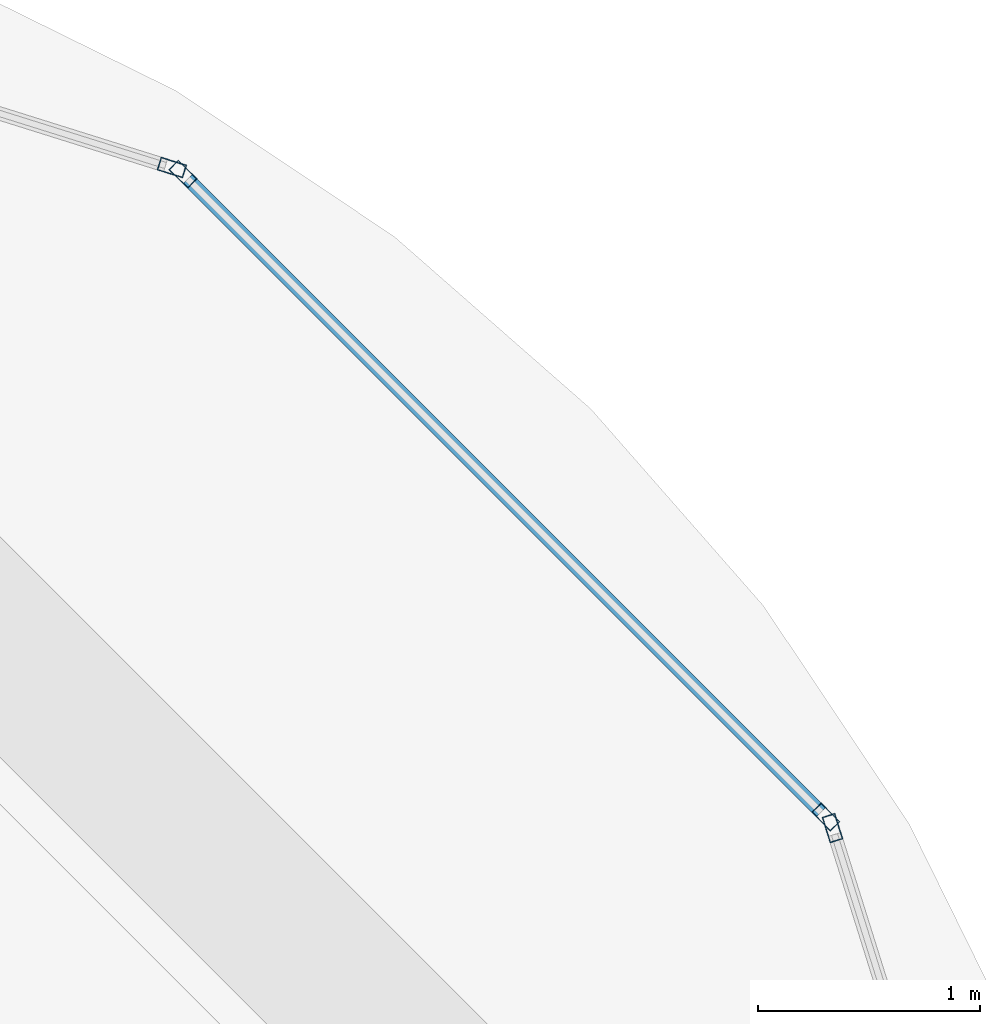
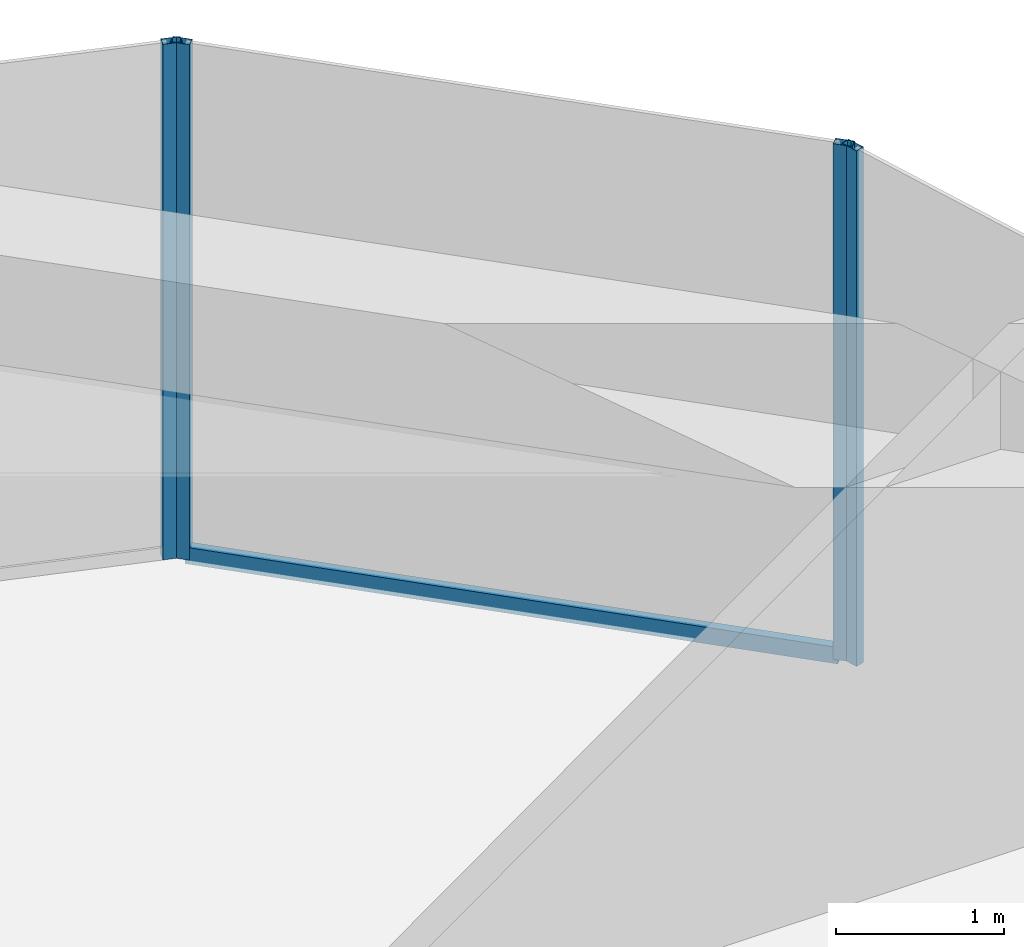
# One storey, part 39 of 44: 5 members, 3 elements without a shape of their own.
"""IFC4 building model written with IfcOpenShell, lengths in metres."""

import ifcopenshell
import ifcopenshell.guid

model = None  # the IFC model being written
_history = None  # IfcOwnerHistory: only IFC2X3 demands one
_inside = {}  # id of a spatial element -> (the spatial element, [elements in it])
_under = {}  # id of a project, library or spatial element -> (it, [spatial elements below it])
_declared = {}  # id of a project -> (the project, [libraries it declares])
_typed = {}  # id of a type object -> (the type object, [elements of that type])
_made_of = {}  # id of a material, layer set ... -> (it, [elements and type objects made of it])


def new_model(schema):
    """Start an empty IFC model of exactly this schema.

    Asked for "IFC4X3", IfcOpenShell would pick the latest addendum, in which some entities
    have other attributes; the version numbers below select the first issue.
    IFC2X3 requires an IfcOwnerHistory on every rooted entity: one is made here for all.
    """
    global model, _history
    if schema == "IFC4X3":
        model = ifcopenshell.file(schema_version=(4, 3, 0, 0))
    else:
        model = ifcopenshell.file(schema=schema)
    _inside.clear()
    _under.clear()
    _declared.clear()
    _typed.clear()
    _made_of.clear()
    _history = None
    if model.schema == "IFC2X3":
        org = make("IfcOrganization", Name="unknown")
        user = make(
            "IfcPersonAndOrganization",
            ThePerson=make("IfcPerson", FamilyName="unknown"),
            TheOrganization=org,
        )
        app = make(
            "IfcApplication",
            ApplicationDeveloper=org,
            Version="unknown",
            ApplicationFullName="unknown",
            ApplicationIdentifier="unknown",
        )
        _history = make(
            "IfcOwnerHistory",
            OwningUser=user,
            OwningApplication=app,
            ChangeAction="ADDED",
            CreationDate=0,
        )
    return model


def make(cls, **values):
    """One entity of the class cls with the attributes given. An attribute that is None is left unset."""
    return model.create_entity(
        cls, **{name: value for name, value in values.items() if value is not None}
    )


def rooted(cls, **values):
    """An entity with a GlobalId (a new one), such as an element, a storey or a relation."""
    return make(cls, GlobalId=ifcopenshell.guid.new(), OwnerHistory=_history, **values)


def si_unit(unit_type, name, prefix=None):
    """IfcSIUnit, for example si_unit("LENGTHUNIT", "METRE", prefix="MILLI")."""
    return make("IfcSIUnit", UnitType=unit_type, Prefix=prefix, Name=name)


def assignment(units):
    """IfcUnitAssignment: the units of a project."""
    return None if units is None else make("IfcUnitAssignment", Units=units)


def point(xyz):
    """IfcCartesianPoint."""
    return None if xyz is None else make("IfcCartesianPoint", Coordinates=xyz)


def direction(xyz):
    """IfcDirection."""
    return None if xyz is None else make("IfcDirection", DirectionRatios=xyz)


def frame(location, z_axis=None, x_axis=None):
    """IfcAxis2Placement3D, a coordinate frame: its origin and axes. An axis left out is left unset."""
    return make(
        "IfcAxis2Placement3D",
        Location=point(location),
        Axis=direction(z_axis),
        RefDirection=direction(x_axis),
    )


def frame_2d(location, x_axis=None):
    """IfcAxis2Placement2D, a coordinate frame in the plane: its origin and x axis."""
    return make(
        "IfcAxis2Placement2D", Location=point(location), RefDirection=direction(x_axis)
    )


def origin():
    """The frame at (0, 0, 0) with its axes left unset."""
    return frame((0.0, 0.0, 0.0))


def origin_2d():
    """The frame at (0, 0) in the plane with its x axis left unset."""
    return frame_2d((0.0, 0.0))


def place(relative_to, where):
    """IfcLocalPlacement: puts the frame where relative to a parent placement (None: the world)."""
    return make(
        "IfcLocalPlacement", PlacementRelTo=relative_to, RelativePlacement=where
    )


def context(
    kind, dimensions, precision=None, world=None, true_north=None, identifier=None
):
    """IfcGeometricRepresentationContext, for example the 3D "Model" context."""
    return make(
        "IfcGeometricRepresentationContext",
        ContextIdentifier=identifier,
        ContextType=kind,
        CoordinateSpaceDimension=dimensions,
        Precision=precision,
        WorldCoordinateSystem=world,
        TrueNorth=true_north,
    )


def subcontext(parent, identifier, kind, view, scale=None):
    """IfcGeometricRepresentationSubContext, for example "Body" below "Model"."""
    return make(
        "IfcGeometricRepresentationSubContext",
        ContextIdentifier=identifier,
        ContextType=kind,
        ParentContext=parent,
        TargetScale=scale,
        TargetView=view,
    )


def project(units=None, contexts=None):
    """IfcProject with its units and contexts."""
    return rooted(
        "IfcProject",
        Name="project",
        RepresentationContexts=contexts,
        UnitsInContext=assignment(units),
    )


def spatial(cls, under=None, at=None, **own):
    """A site, building, storey or space (cls), placed at a placement, below another one or the project."""
    s = rooted(cls, ObjectPlacement=at, **own)
    if under is not None:
        _under.setdefault(under.id(), (under, []))[1].append(s)
    return s


def profile(cls, at=None, kind="AREA", **sizes):
    """A parametric profile (cls). Its sizes go by their IFC names, for example OverallWidth=200.0."""
    return make(cls, ProfileType=kind, Position=at, **sizes)


def hollow_rectangle(**sizes):
    """IfcRectangleHollowProfileDef."""
    return profile("IfcRectangleHollowProfileDef", **sizes)


def extrude(swept, where, along, depth):
    """IfcExtrudedAreaSolid: the profile swept, set in the frame where, extruded along a direction by depth."""
    return make(
        "IfcExtrudedAreaSolid",
        SweptArea=swept,
        Position=where,
        ExtrudedDirection=direction(along),
        Depth=depth,
    )


def shape(context_of_items, identifier, shape_type, items):
    """IfcShapeRepresentation: the items that make up one representation, for example the "Body"."""
    return make(
        "IfcShapeRepresentation",
        ContextOfItems=context_of_items,
        RepresentationIdentifier=identifier,
        RepresentationType=shape_type,
        Items=items,
    )


def material(Name=None, Category=None):
    """IfcMaterial."""
    return make("IfcMaterial", Name=Name, Category=Category)


def material_profile(
    of_material, cross_section, Name=None, Category=None, Priority=None
):
    """IfcMaterialProfile: a cross section and its material."""
    return make(
        "IfcMaterialProfile",
        Name=Name,
        Material=of_material,
        Profile=cross_section,
        Priority=Priority,
        Category=Category,
    )


def profile_set(profiles, Name=None, composite=None):
    """IfcMaterialProfileSet."""
    return make(
        "IfcMaterialProfileSet",
        Name=Name,
        MaterialProfiles=profiles,
        CompositeProfile=composite,
    )


def made_of(thing, what):
    """Note that an element or type object is made of a material, layer set ...; save() writes the relation."""
    if what is not None:
        _made_of.setdefault(what.id(), (what, []))[1].append(thing)
    return thing


def type_object(cls, material=None, **own):
    """A type object (cls), such as IfcWallType, which elements share."""
    return made_of(rooted(cls, **own), material)


def element(
    cls,
    number,
    at=None,
    inside=None,
    cuts=None,
    type_object=None,
    material=None,
    context=None,
    identifier="Body",
    shape_type=None,
    held_by="IfcProductDefinitionShape",
    body=None,
    shapes=None,
    **own,
):
    """One element of the class cls, such as IfcWall. Its Tag is "e" and its number.

    at: its placement. inside: the storey or other place that contains it. cuts: it is an
    opening in that element (IfcRelVoidsElement). A single representation is given by context,
    identifier, shape_type and body (its items); several are given by shapes. held_by: the class
    of the entity that holds the representations. save() writes the other relations.
    """
    e = rooted(cls, Tag="e%d" % number, ObjectPlacement=at, **own)
    if body is not None:
        shapes = [shape(context, identifier, shape_type, body)]
    if shapes is not None:
        e.Representation = make(held_by, Representations=shapes)
    if inside is not None:
        _inside.setdefault(inside.id(), (inside, []))[1].append(e)
    if cuts is not None:
        rooted(
            "IfcRelVoidsElement", RelatingBuildingElement=cuts, RelatedOpeningElement=e
        )
    if type_object is not None:
        _typed.setdefault(type_object.id(), (type_object, []))[1].append(e)
    return made_of(e, material)


def aggregate(whole, parts):
    """IfcRelAggregates: a whole, such as a stair, and the parts it consists of."""
    return rooted("IfcRelAggregates", RelatingObject=whole, RelatedObjects=parts)


def save(model, path):
    """Write the relations noted so far, then the file.

    IfcRelAggregates (storeys below a building ...), IfcRelContainedInSpatialStructure (elements
    in a storey), IfcRelDefinesByType, IfcRelAssociatesMaterial and IfcRelDeclares: one each for
    every whole, place, type object, material and project.
    """
    for whole, parts in _under.values():
        aggregate(whole, parts)
    for where, things in _inside.values():
        rooted(
            "IfcRelContainedInSpatialStructure",
            RelatedElements=things,
            RelatingStructure=where,
        )
    for kind, things in _typed.values():
        rooted("IfcRelDefinesByType", RelatedObjects=things, RelatingType=kind)
    for what, things in _made_of.values():
        rooted("IfcRelAssociatesMaterial", RelatedObjects=things, RelatingMaterial=what)
    for by, libraries in _declared.values():
        rooted("IfcRelDeclares", RelatingContext=by, RelatedDefinitions=libraries)
    model.write(path)


model = new_model("IFC4")

# Units and contexts
model_context = context("Model", 3, precision=1e-05, world=origin(), true_north=direction((0.0, 1.0)))
body_context = subcontext(model_context, "Body", "Model", "MODEL_VIEW")
ifc_project = project(units=[si_unit("LENGTHUNIT", "METRE"), si_unit("AREAUNIT", "SQUARE_METRE"), si_unit("VOLUMEUNIT", "CUBIC_METRE"), si_unit("PLANEANGLEUNIT", "RADIAN"), si_unit("MASSUNIT", "GRAM", prefix="KILO")], contexts=[model_context])

# Site, building, storey
site_placement = place(None, origin())
site = spatial("IfcSite", under=ifc_project, at=site_placement, CompositionType="ELEMENT")
building_placement = place(site_placement, origin())
building = spatial("IfcBuilding", under=site, at=building_placement, Name="Zorevar Civic Tower", CompositionType="ELEMENT")
storey_placement = place(building_placement, frame((0.0, 0.0, 267.39990234375)))
storey = spatial("IfcBuildingStorey", under=building, at=storey_placement, Name="L65", CompositionType="ELEMENT", Elevation=267.39990234375)

# Curtain wall, member
ifc_material_1 = material(Name="Dark grey solar-control glass in black aluminium frame", Category="aluminium")
curtain_wall_type = type_object("IfcCurtainWallType", Name="Curtain wall CW5 top zone", PredefinedType="NOTDEFINED", material=ifc_material_1)
curtain_wall_1_placement = place(storey_placement, origin())
curtain_wall_1 = element("IfcCurtainWall", 1, at=curtain_wall_1_placement, inside=storey, type_object=curtain_wall_type, Name="CW5 L65", PredefinedType="NOTDEFINED")
ifc_material_2 = material(Name="Aluminium, black anodised", Category="aluminium")
ifc_material_profile_1 = material_profile(ifc_material_2, hollow_rectangle(XDim=0.06005859375, YDim=0.1201171875, WallThickness=0.0029296875, at=origin_2d()), Name="AL 120x60x3")
ifc_profile_set_1 = profile_set([ifc_material_profile_1], Name="Aluminium, black anodised")
member_type_1 = type_object("IfcMemberType", Name="CW5 mullion AL 120x60x3", PredefinedType="MULLION", material=ifc_profile_set_1)
member_1_placement = place(storey_placement, frame((52.449951171875, 40.479248046875, 0.0), z_axis=(0.0, 0.0, 1.0), x_axis=(-0.954153437674, -0.299317920238, 0.0)))
member_1 = element("IfcMember", 2, at=member_1_placement, type_object=member_type_1, Name="CW5 mullion 2", PredefinedType="MULLION", context=body_context, shape_type="SweptSolid", body=[
    extrude(hollow_rectangle(XDim=0.06005859375, YDim=0.1201171875, WallThickness=0.0029296875, at=origin_2d()), origin(), (0.0, 0.0, 1.0), 3.75),
])
aggregate(curtain_wall_1, [member_1])

# Curtain wall, members
curtain_wall_2_placement = place(storey_placement, origin())
curtain_wall_2 = element("IfcCurtainWall", 3, at=curtain_wall_2_placement, inside=storey, type_object=curtain_wall_type, Name="CW5 L65", PredefinedType="NOTDEFINED")
member_2_placement = place(storey_placement, frame((52.419677734375, 40.529052734375, 0.0), z_axis=(0.0, 0.0, 1.0), x_axis=(-0.707106781187, -0.707106781187, 0.0)))
member_2 = element("IfcMember", 4, at=member_2_placement, type_object=member_type_1, Name="CW5 mullion 1", PredefinedType="MULLION", context=body_context, shape_type="SweptSolid", body=[
    extrude(hollow_rectangle(XDim=0.06005859375, YDim=0.1201171875, WallThickness=0.0029296875, at=origin_2d()), origin(), (0.0, 0.0, 1.0), 3.75),
])
member_3_placement = place(storey_placement, frame((49.529052734375, 43.419677734375, 0.0), z_axis=(0.0, 0.0, 1.0), x_axis=(-0.707106781187, -0.707106781187, 0.0)))
member_3 = element("IfcMember", 5, at=member_3_placement, type_object=member_type_1, Name="CW5 mullion 2", PredefinedType="MULLION", context=body_context, shape_type="SweptSolid", body=[
    extrude(hollow_rectangle(XDim=0.06005859375, YDim=0.1201171875, WallThickness=0.0029296875, at=origin_2d()), origin(), (0.0, 0.0, 1.0), 3.75),
])

# Curtain wall, member
curtain_wall_3_placement = place(storey_placement, origin())
curtain_wall_3 = element("IfcCurtainWall", 6, at=curtain_wall_3_placement, inside=storey, type_object=curtain_wall_type, Name="CW5 L65", PredefinedType="NOTDEFINED")
member_4_placement = place(storey_placement, frame((49.479248046875, 43.449951171875, 0.0), z_axis=(0.0, 0.0, 1.0), x_axis=(-0.299317920238, -0.954153437674, 0.0)))
member_4 = element("IfcMember", 7, at=member_4_placement, type_object=member_type_1, Name="CW5 mullion 1", PredefinedType="MULLION", context=body_context, shape_type="SweptSolid", body=[
    extrude(hollow_rectangle(XDim=0.06005859375, YDim=0.1201171875, WallThickness=0.0029296875, at=origin_2d()), origin(), (0.0, 0.0, 1.0), 3.75),
])
aggregate(curtain_wall_3, [member_4])

# Member
ifc_material_3 = material(Name="Aluminium, black anodised", Category="aluminium")
ifc_material_profile_2 = material_profile(ifc_material_3, hollow_rectangle(XDim=0.06005859375, YDim=0.1201171875, WallThickness=0.0029296875, at=origin_2d()), Name="AL 120x60x3")
ifc_profile_set_2 = profile_set([ifc_material_profile_2], Name="Aluminium, black anodised")
member_type_2 = type_object("IfcMemberType", Name="CW5 transom AL 120x60x3", PredefinedType="USERDEFINED", material=ifc_profile_set_2)
member_5_placement = place(storey_placement, frame((52.3984375, 40.55029296875, 0.030029296875), z_axis=(-0.707106781187, 0.707106781187, 0.0), x_axis=(-0.707106781187, -0.707106781187, 0.0)))
member_5 = element("IfcMember", 8, at=member_5_placement, type_object=member_type_2, Name="CW5 sill transom", ObjectType="TRANSOM", PredefinedType="USERDEFINED", context=body_context, shape_type="SweptSolid", body=[
    extrude(hollow_rectangle(XDim=0.06005859375, YDim=0.1201171875, WallThickness=0.0029296875, at=origin_2d()), origin(), (0.0, 0.0, 1.0), 4.02783203125),
])

aggregate(curtain_wall_2, [member_2, member_3, member_5])

save(model, "model.ifc")
